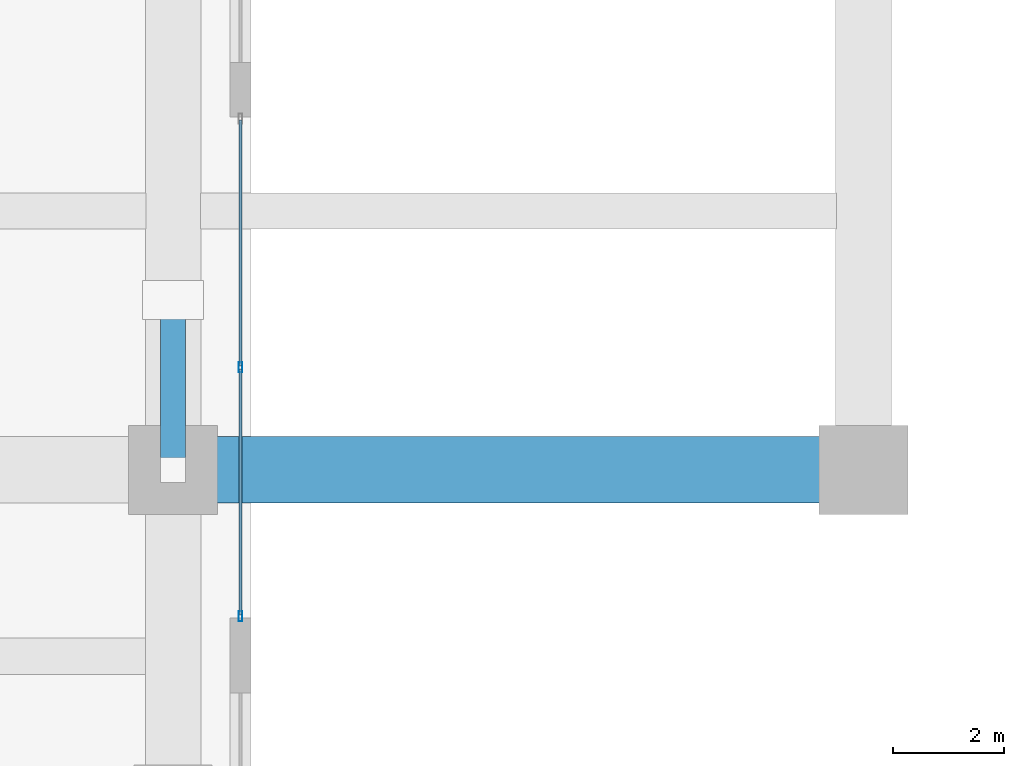
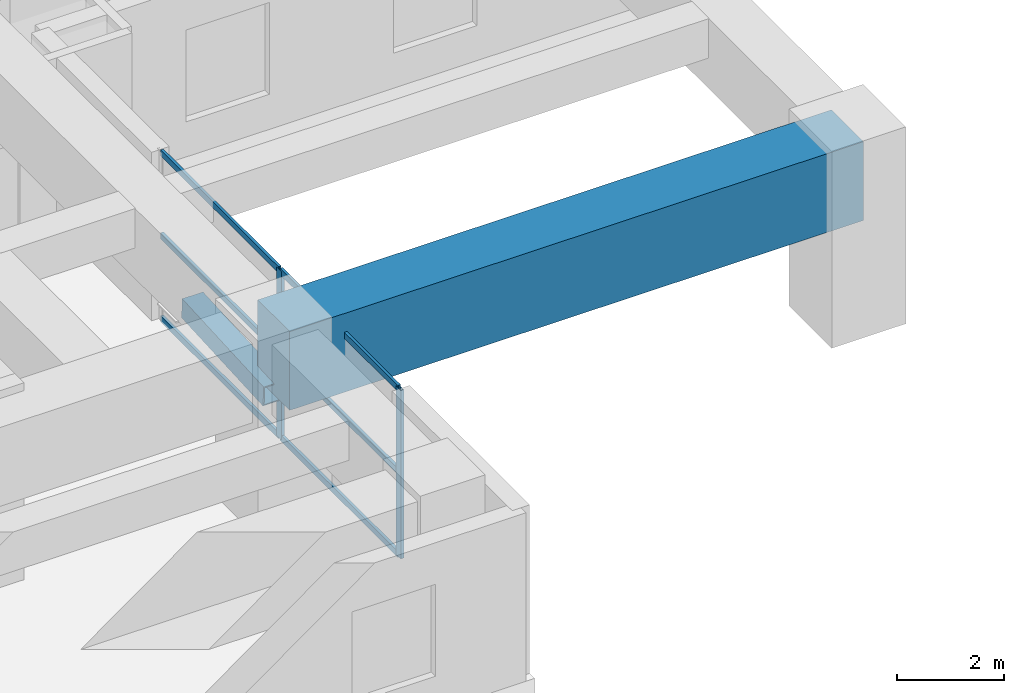
# One storey, part 2 of 33: 9 members, 1 beam, 1 element without a shape of its own.
"""IFC4 building model written with IfcOpenShell, lengths in metres."""

import ifcopenshell
import ifcopenshell.guid

model = None  # the IFC model being written
_history = None  # IfcOwnerHistory: only IFC2X3 demands one
_inside = {}  # id of a spatial element -> (the spatial element, [elements in it])
_under = {}  # id of a project, library or spatial element -> (it, [spatial elements below it])
_declared = {}  # id of a project -> (the project, [libraries it declares])
_typed = {}  # id of a type object -> (the type object, [elements of that type])
_made_of = {}  # id of a material, layer set ... -> (it, [elements and type objects made of it])


def new_model(schema):
    """Start an empty IFC model of exactly this schema.

    Asked for "IFC4X3", IfcOpenShell would pick the latest addendum, in which some entities
    have other attributes; the version numbers below select the first issue.
    IFC2X3 requires an IfcOwnerHistory on every rooted entity: one is made here for all.
    """
    global model, _history
    if schema == "IFC4X3":
        model = ifcopenshell.file(schema_version=(4, 3, 0, 0))
    else:
        model = ifcopenshell.file(schema=schema)
    _inside.clear()
    _under.clear()
    _declared.clear()
    _typed.clear()
    _made_of.clear()
    _history = None
    if model.schema == "IFC2X3":
        org = make("IfcOrganization", Name="unknown")
        user = make(
            "IfcPersonAndOrganization",
            ThePerson=make("IfcPerson", FamilyName="unknown"),
            TheOrganization=org,
        )
        app = make(
            "IfcApplication",
            ApplicationDeveloper=org,
            Version="unknown",
            ApplicationFullName="unknown",
            ApplicationIdentifier="unknown",
        )
        _history = make(
            "IfcOwnerHistory",
            OwningUser=user,
            OwningApplication=app,
            ChangeAction="ADDED",
            CreationDate=0,
        )
    return model


def make(cls, **values):
    """One entity of the class cls with the attributes given. An attribute that is None is left unset."""
    return model.create_entity(
        cls, **{name: value for name, value in values.items() if value is not None}
    )


def rooted(cls, **values):
    """An entity with a GlobalId (a new one), such as an element, a storey or a relation."""
    return make(cls, GlobalId=ifcopenshell.guid.new(), OwnerHistory=_history, **values)


def si_unit(unit_type, name, prefix=None):
    """IfcSIUnit, for example si_unit("LENGTHUNIT", "METRE", prefix="MILLI")."""
    return make("IfcSIUnit", UnitType=unit_type, Prefix=prefix, Name=name)


def assignment(units):
    """IfcUnitAssignment: the units of a project."""
    return None if units is None else make("IfcUnitAssignment", Units=units)


def point(xyz):
    """IfcCartesianPoint."""
    return None if xyz is None else make("IfcCartesianPoint", Coordinates=xyz)


def direction(xyz):
    """IfcDirection."""
    return None if xyz is None else make("IfcDirection", DirectionRatios=xyz)


def frame(location, z_axis=None, x_axis=None):
    """IfcAxis2Placement3D, a coordinate frame: its origin and axes. An axis left out is left unset."""
    return make(
        "IfcAxis2Placement3D",
        Location=point(location),
        Axis=direction(z_axis),
        RefDirection=direction(x_axis),
    )


def frame_2d(location, x_axis=None):
    """IfcAxis2Placement2D, a coordinate frame in the plane: its origin and x axis."""
    return make(
        "IfcAxis2Placement2D", Location=point(location), RefDirection=direction(x_axis)
    )


def origin():
    """The frame at (0, 0, 0) with its axes left unset."""
    return frame((0.0, 0.0, 0.0))


def origin_2d():
    """The frame at (0, 0) in the plane with its x axis left unset."""
    return frame_2d((0.0, 0.0))


def place(relative_to, where):
    """IfcLocalPlacement: puts the frame where relative to a parent placement (None: the world)."""
    return make(
        "IfcLocalPlacement", PlacementRelTo=relative_to, RelativePlacement=where
    )


def context(
    kind, dimensions, precision=None, world=None, true_north=None, identifier=None
):
    """IfcGeometricRepresentationContext, for example the 3D "Model" context."""
    return make(
        "IfcGeometricRepresentationContext",
        ContextIdentifier=identifier,
        ContextType=kind,
        CoordinateSpaceDimension=dimensions,
        Precision=precision,
        WorldCoordinateSystem=world,
        TrueNorth=true_north,
    )


def subcontext(parent, identifier, kind, view, scale=None):
    """IfcGeometricRepresentationSubContext, for example "Body" below "Model"."""
    return make(
        "IfcGeometricRepresentationSubContext",
        ContextIdentifier=identifier,
        ContextType=kind,
        ParentContext=parent,
        TargetScale=scale,
        TargetView=view,
    )


def project(units=None, contexts=None):
    """IfcProject with its units and contexts."""
    return rooted(
        "IfcProject",
        Name="project",
        RepresentationContexts=contexts,
        UnitsInContext=assignment(units),
    )


def spatial(cls, under=None, at=None, **own):
    """A site, building, storey or space (cls), placed at a placement, below another one or the project."""
    s = rooted(cls, ObjectPlacement=at, **own)
    if under is not None:
        _under.setdefault(under.id(), (under, []))[1].append(s)
    return s


def profile(cls, at=None, kind="AREA", **sizes):
    """A parametric profile (cls). Its sizes go by their IFC names, for example OverallWidth=200.0."""
    return make(cls, ProfileType=kind, Position=at, **sizes)


def rectangle(**sizes):
    """IfcRectangleProfileDef."""
    return profile("IfcRectangleProfileDef", **sizes)


def hollow_rectangle(**sizes):
    """IfcRectangleHollowProfileDef."""
    return profile("IfcRectangleHollowProfileDef", **sizes)


def extrude(swept, where, along, depth):
    """IfcExtrudedAreaSolid: the profile swept, set in the frame where, extruded along a direction by depth."""
    return make(
        "IfcExtrudedAreaSolid",
        SweptArea=swept,
        Position=where,
        ExtrudedDirection=direction(along),
        Depth=depth,
    )


def shape(context_of_items, identifier, shape_type, items):
    """IfcShapeRepresentation: the items that make up one representation, for example the "Body"."""
    return make(
        "IfcShapeRepresentation",
        ContextOfItems=context_of_items,
        RepresentationIdentifier=identifier,
        RepresentationType=shape_type,
        Items=items,
    )


def source(mapping_origin, context_of_items, identifier, shape_type, items):
    """IfcRepresentationMap: a shape defined once, which mapped items show again and again."""
    return make(
        "IfcRepresentationMap",
        MappingOrigin=mapping_origin,
        MappedRepresentation=shape(context_of_items, identifier, shape_type, items),
    )


def transform(
    local_origin,
    x_axis=None,
    y_axis=None,
    z_axis=None,
    scale=None,
    scale2=None,
    scale3=None,
    uniform=True,
):
    """IfcCartesianTransformationOperator3D, or its non-uniform kind. x_axis, y_axis, z_axis: its Axis1, 2, 3."""
    if uniform:
        return make(
            "IfcCartesianTransformationOperator3D",
            Axis1=direction(x_axis),
            Axis2=direction(y_axis),
            LocalOrigin=point(local_origin),
            Scale=scale,
            Axis3=direction(z_axis),
        )
    return make(
        "IfcCartesianTransformationOperator3DnonUniform",
        Axis1=direction(x_axis),
        Axis2=direction(y_axis),
        LocalOrigin=point(local_origin),
        Scale=scale,
        Axis3=direction(z_axis),
        Scale2=scale2,
        Scale3=scale3,
    )


def mapped(mapping_source, mapping_target):
    """IfcMappedItem: shows the shape of a source again, moved by a transform."""
    return make(
        "IfcMappedItem", MappingSource=mapping_source, MappingTarget=mapping_target
    )


def material(Name=None, Category=None):
    """IfcMaterial."""
    return make("IfcMaterial", Name=Name, Category=Category)


def layer(
    of_material, thickness, ventilated=None, Name=None, Category=None, Priority=None
):
    """IfcMaterialLayer: one layer of a wall or slab, of a material (None: an air gap)."""
    return make(
        "IfcMaterialLayer",
        Material=of_material,
        LayerThickness=thickness,
        IsVentilated=ventilated,
        Name=Name,
        Category=Category,
        Priority=Priority,
    )


def layer_set(layers, Name=None):
    """IfcMaterialLayerSet."""
    return make("IfcMaterialLayerSet", MaterialLayers=layers, LayerSetName=Name)


def material_profile(
    of_material, cross_section, Name=None, Category=None, Priority=None
):
    """IfcMaterialProfile: a cross section and its material."""
    return make(
        "IfcMaterialProfile",
        Name=Name,
        Material=of_material,
        Profile=cross_section,
        Priority=Priority,
        Category=Category,
    )


def profile_set(profiles, Name=None, composite=None):
    """IfcMaterialProfileSet."""
    return make(
        "IfcMaterialProfileSet",
        Name=Name,
        MaterialProfiles=profiles,
        CompositeProfile=composite,
    )


def made_of(thing, what):
    """Note that an element or type object is made of a material, layer set ...; save() writes the relation."""
    if what is not None:
        _made_of.setdefault(what.id(), (what, []))[1].append(thing)
    return thing


def type_object(cls, material=None, **own):
    """A type object (cls), such as IfcWallType, which elements share."""
    return made_of(rooted(cls, **own), material)


def element(
    cls,
    number,
    at=None,
    inside=None,
    cuts=None,
    type_object=None,
    material=None,
    context=None,
    identifier="Body",
    shape_type=None,
    held_by="IfcProductDefinitionShape",
    body=None,
    shapes=None,
    **own,
):
    """One element of the class cls, such as IfcWall. Its Tag is "e" and its number.

    at: its placement. inside: the storey or other place that contains it. cuts: it is an
    opening in that element (IfcRelVoidsElement). A single representation is given by context,
    identifier, shape_type and body (its items); several are given by shapes. held_by: the class
    of the entity that holds the representations. save() writes the other relations.
    """
    e = rooted(cls, Tag="e%d" % number, ObjectPlacement=at, **own)
    if body is not None:
        shapes = [shape(context, identifier, shape_type, body)]
    if shapes is not None:
        e.Representation = make(held_by, Representations=shapes)
    if inside is not None:
        _inside.setdefault(inside.id(), (inside, []))[1].append(e)
    if cuts is not None:
        rooted(
            "IfcRelVoidsElement", RelatingBuildingElement=cuts, RelatedOpeningElement=e
        )
    if type_object is not None:
        _typed.setdefault(type_object.id(), (type_object, []))[1].append(e)
    return made_of(e, material)


def aggregate(whole, parts):
    """IfcRelAggregates: a whole, such as a stair, and the parts it consists of."""
    return rooted("IfcRelAggregates", RelatingObject=whole, RelatedObjects=parts)


def save(model, path):
    """Write the relations noted so far, then the file.

    IfcRelAggregates (storeys below a building ...), IfcRelContainedInSpatialStructure (elements
    in a storey), IfcRelDefinesByType, IfcRelAssociatesMaterial and IfcRelDeclares: one each for
    every whole, place, type object, material and project.
    """
    for whole, parts in _under.values():
        aggregate(whole, parts)
    for where, things in _inside.values():
        rooted(
            "IfcRelContainedInSpatialStructure",
            RelatedElements=things,
            RelatingStructure=where,
        )
    for kind, things in _typed.values():
        rooted("IfcRelDefinesByType", RelatedObjects=things, RelatingType=kind)
    for what, things in _made_of.values():
        rooted("IfcRelAssociatesMaterial", RelatedObjects=things, RelatingMaterial=what)
    for by, libraries in _declared.values():
        rooted("IfcRelDeclares", RelatingContext=by, RelatedDefinitions=libraries)
    model.write(path)


model = new_model("IFC4")

# Units and contexts
model_context = context("Model", 3, precision=1e-05, world=origin(), true_north=direction((0.0, 1.0)))
body_context = subcontext(model_context, "Body", "Model", "MODEL_VIEW")
ifc_project = project(units=[si_unit("LENGTHUNIT", "METRE"), si_unit("AREAUNIT", "SQUARE_METRE"), si_unit("VOLUMEUNIT", "CUBIC_METRE"), si_unit("PLANEANGLEUNIT", "RADIAN"), si_unit("MASSUNIT", "GRAM", prefix="KILO")], contexts=[model_context])

# Site, building, storey
site_placement = place(None, origin())
site = spatial("IfcSite", under=ifc_project, at=site_placement, CompositionType="ELEMENT")
building_placement = place(site_placement, origin())
building = spatial("IfcBuilding", under=site, at=building_placement, Name="Khoralis Quay Care Tower", CompositionType="ELEMENT")
storey_placement = place(building_placement, frame((0.0, 0.0, 18.0)))
storey = spatial("IfcBuildingStorey", under=building, at=storey_placement, Name="L04", CompositionType="ELEMENT", Elevation=18.0)

# Beam
ifc_material_1 = material(Name="Concrete C80/95", Category="concrete")
ifc_material_profile_1 = material_profile(ifc_material_1, rectangle(XDim=1.199951171875, YDim=1.800048828125, at=origin_2d()), Name="Concrete C80/95")
ifc_profile_set_1 = profile_set([ifc_material_profile_1], Name="Concrete C80/95")
beam_type = type_object("IfcBeamType", Name="TG-RC1200X1800", PredefinedType="BEAM", material=ifc_profile_set_1)
shared_shape_1 = source(origin(), body_context, "Body", "SweptSolid", [
    extrude(rectangle(XDim=1.199951171875, YDim=1.800048828125, at=origin_2d()), origin(), (0.0, 0.0, 1.0), 12.39990234375),
])
beam_placement = place(storey_placement, frame((34.60009765625, 1.35009765625, 3.419921875), z_axis=(1.0, 0.0, 0.0), x_axis=(0.0, 1.0, 0.0)))
element("IfcBeam", 1, at=beam_placement, inside=storey, type_object=beam_type, Name="L04 Transfer girder BM-PODX-L04-07", PredefinedType="BEAM", context=body_context, shape_type="MappedRepresentation", body=[
    mapped(shared_shape_1, transform((0.0, 0.0, 0.0), scale=1.0)),
])

# Member
ifc_material_2 = material(Name="Steel S460", Category="steel")
ifc_material_profile_2 = material_profile(ifc_material_2, hollow_rectangle(XDim=0.449951171875, YDim=0.449951171875, WallThickness=0.02490234375, at=origin_2d()), Name="Steel S460")
ifc_profile_set_2 = profile_set([ifc_material_profile_2], Name="Steel S460")
member_type_1 = type_object("IfcMemberType", Name="BR-RHS450X450X25", PredefinedType="BRACE", material=ifc_profile_set_2)
shared_shape_2 = source(origin(), body_context, "Body", "SweptSolid", [
    extrude(hollow_rectangle(XDim=0.449951171875, YDim=0.449951171875, WallThickness=0.02490234375, at=origin_2d()), origin(), (0.0, 0.0, 1.0), 3.054443359375),
])
member_1_placement = place(storey_placement, frame((34.60009765625, 1.35009765625, 2.550048828125), z_axis=(0.0, 0.998451487005, 0.055629381601), x_axis=(-1.0, 0.0, 0.0)))
element("IfcMember", 2, at=member_1_placement, inside=storey, type_object=member_type_1, Name="Podium Transfer Truss Brace 03", PredefinedType="BRACE", context=body_context, shape_type="MappedRepresentation", body=[
    mapped(shared_shape_2, transform((0.0, 0.0, 0.0), scale=1.0)),
])

# Curtain wall, members
ifc_material_3 = material(Name="Pale anodised aluminium", Category="aluminium")
ifc_layer = layer(ifc_material_3, 0.179931640625)
ifc_layer_set = layer_set([ifc_layer], Name="Pale anodised aluminium")
curtain_wall_type = type_object("IfcCurtainWallType", Name="CW-SYS-Z1", PredefinedType="NOTDEFINED", material=ifc_layer_set)
curtain_wall_placement = place(storey_placement, origin())
curtain_wall = element("IfcCurtainWall", 3, at=curtain_wall_placement, inside=storey, type_object=curtain_wall_type, Name="L04 Unitised Curtain Wall CW-POD-L04-E1", PredefinedType="NOTDEFINED")
ifc_material_profile_3 = material_profile(ifc_material_3, hollow_rectangle(XDim=0.06005859375, YDim=0.139892578125, WallThickness=0.00390625, at=origin_2d()), Name="Pale anodised aluminium")
ifc_profile_set_3 = profile_set([ifc_material_profile_3], Name="Pale anodised aluminium")
member_type_2 = type_object("IfcMemberType", Name="CW-TRN-140", PredefinedType="USERDEFINED", material=ifc_profile_set_3)
shared_shape_3 = source(origin(), body_context, "Body", "SweptSolid", [
    extrude(hollow_rectangle(XDim=0.06005859375, YDim=0.139892578125, WallThickness=0.00390625, at=origin_2d()), origin(), (0.0, 0.0, 1.0), 4.409912109375),
])
member_2_placement = place(storey_placement, frame((35.81005859375, -1.25, 0.030029296875), z_axis=(0.0, 1.0, 0.0), x_axis=(-1.0, 0.0, 0.0)))
member_2 = element("IfcMember", 4, at=member_2_placement, type_object=member_type_2, Name="CW1 transom 1.1", ObjectType="TRANSOM", PredefinedType="USERDEFINED", context=body_context, shape_type="MappedRepresentation", body=[
    mapped(shared_shape_3, transform((0.0, 0.0, 0.0), scale=1.0)),
])
member_3_placement = place(storey_placement, frame((35.81005859375, -1.25, 1.925048828125), z_axis=(0.0, 1.0, 0.0), x_axis=(-1.0, 0.0, 0.0)))
member_3 = element("IfcMember", 5, at=member_3_placement, type_object=member_type_2, Name="CW1 transom 1.2", ObjectType="TRANSOM", PredefinedType="USERDEFINED", context=body_context, shape_type="MappedRepresentation", body=[
    mapped(shared_shape_3, transform((0.0, 0.0, 0.0), scale=1.0)),
])
member_4_placement = place(storey_placement, frame((35.81005859375, -1.25, 3.820068359375), z_axis=(0.0, 1.0, 0.0), x_axis=(-1.0, 0.0, 0.0)))
member_4 = element("IfcMember", 6, at=member_4_placement, type_object=member_type_2, Name="CW1 transom 1.3", ObjectType="TRANSOM", PredefinedType="USERDEFINED", context=body_context, shape_type="MappedRepresentation", body=[
    mapped(shared_shape_3, transform((0.0, 0.0, 0.0), scale=1.0)),
])
member_5_placement = place(storey_placement, frame((35.81005859375, 3.219970703125, 0.030029296875), z_axis=(0.0, 1.0, 0.0), x_axis=(-1.0, 0.0, 0.0)))
member_5 = element("IfcMember", 7, at=member_5_placement, type_object=member_type_2, Name="CW1 transom 2.1", ObjectType="TRANSOM", PredefinedType="USERDEFINED", context=body_context, shape_type="MappedRepresentation", body=[
    mapped(shared_shape_3, transform((0.0, 0.0, 0.0), scale=1.0)),
])
member_6_placement = place(storey_placement, frame((35.81005859375, 3.219970703125, 1.925048828125), z_axis=(0.0, 1.0, 0.0), x_axis=(-1.0, 0.0, 0.0)))
member_6 = element("IfcMember", 8, at=member_6_placement, type_object=member_type_2, Name="CW1 transom 2.2", ObjectType="TRANSOM", PredefinedType="USERDEFINED", context=body_context, shape_type="MappedRepresentation", body=[
    mapped(shared_shape_3, transform((0.0, 0.0, 0.0), scale=1.0)),
])
member_7_placement = place(storey_placement, frame((35.81005859375, 3.219970703125, 3.820068359375), z_axis=(0.0, 1.0, 0.0), x_axis=(-1.0, 0.0, 0.0)))
member_7 = element("IfcMember", 9, at=member_7_placement, type_object=member_type_2, Name="CW1 transom 2.3", ObjectType="TRANSOM", PredefinedType="USERDEFINED", context=body_context, shape_type="MappedRepresentation", body=[
    mapped(shared_shape_3, transform((0.0, 0.0, 0.0), scale=1.0)),
])
ifc_material_profile_4 = material_profile(ifc_material_3, hollow_rectangle(XDim=0.06494140625, YDim=0.179931640625, WallThickness=0.00390625, at=origin_2d()), Name="Pale anodised aluminium")
ifc_profile_set_4 = profile_set([ifc_material_profile_4], Name="Pale anodised aluminium")
member_type_3 = type_object("IfcMemberType", Name="CW-MUL-180", PredefinedType="MULLION", material=ifc_profile_set_4)
shared_shape_4 = source(origin(), body_context, "Body", "SweptSolid", [
    extrude(hollow_rectangle(XDim=0.06494140625, YDim=0.179931640625, WallThickness=0.00390625, at=origin_2d()), origin(), (0.0, 0.0, 1.0), 3.85009765625),
])
member_8_placement = place(storey_placement, frame((35.81005859375, -1.280029296875, 0.0), z_axis=(0.0, 0.0, 1.0), x_axis=(-1.0, 0.0, 0.0)))
member_8 = element("IfcMember", 10, at=member_8_placement, type_object=member_type_3, Name="CW1 mullion 1", PredefinedType="MULLION", context=body_context, shape_type="MappedRepresentation", body=[
    mapped(shared_shape_4, transform((0.0, 0.0, 0.0), scale=1.0)),
])
member_9_placement = place(storey_placement, frame((35.81005859375, 3.18994140625, 0.0), z_axis=(0.0, 0.0, 1.0), x_axis=(-1.0, 0.0, 0.0)))
member_9 = element("IfcMember", 11, at=member_9_placement, type_object=member_type_3, Name="CW1 mullion 2", PredefinedType="MULLION", context=body_context, shape_type="MappedRepresentation", body=[
    mapped(shared_shape_4, transform((0.0, 0.0, 0.0), scale=1.0)),
])
aggregate(curtain_wall, [member_8, member_9, member_2, member_3, member_4, member_5, member_6, member_7])

save(model, "model.ifc")
